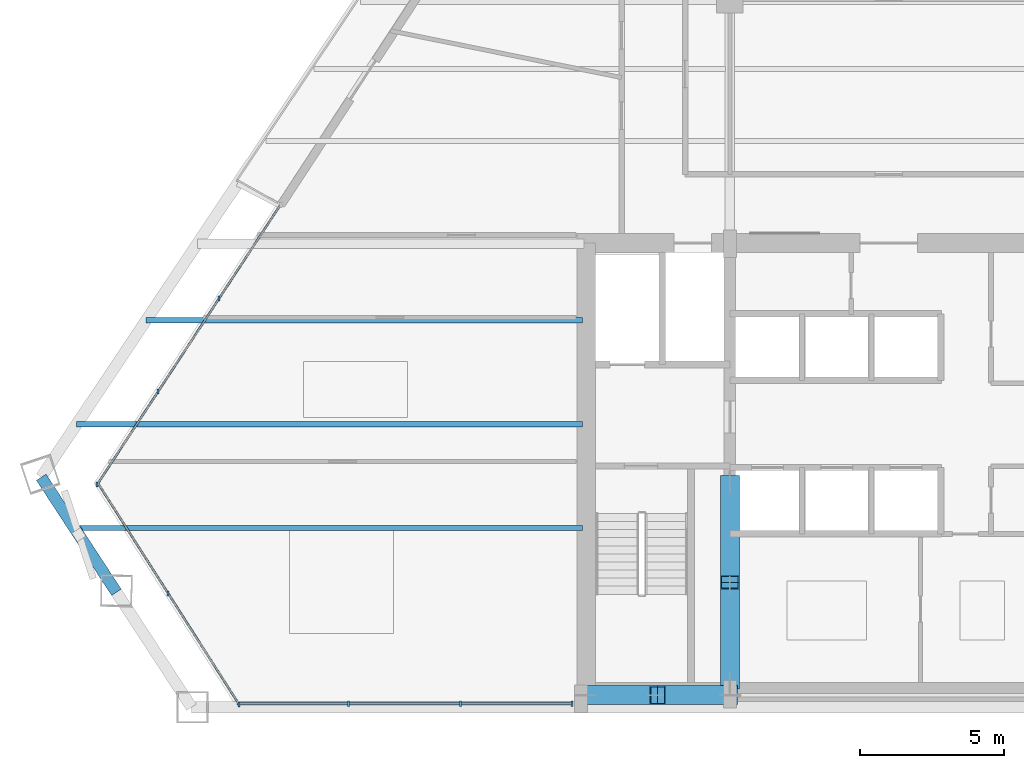
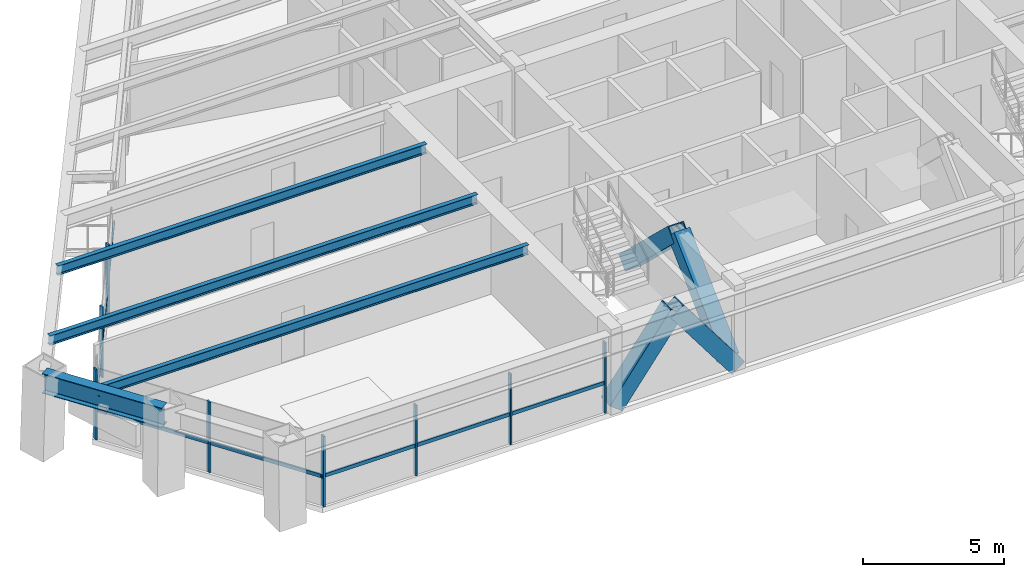
# One storey, part 2 of 14: 20 members, 4 beams, 3 elements without a shape of their own.
"""IFC4 building model written with IfcOpenShell, lengths in metres."""

from ifc_helpers import new_model, si_unit, direction, frame, origin, origin_2d, place, context, subcontext, project, spatial, rectangle, hollow_rectangle, i_section, extrude, source, transform, mapped, material, material_profile, profile_set, type_object, element, aggregate, save


model = new_model("IFC4")

# Units and contexts
model_context = context("Model", 3, precision=1e-05, world=origin(), true_north=direction((0.0, 1.0)))
body_context = subcontext(model_context, "Body", "Model", "MODEL_VIEW")
ifc_project = project(units=[si_unit("LENGTHUNIT", "METRE"), si_unit("AREAUNIT", "SQUARE_METRE"), si_unit("VOLUMEUNIT", "CUBIC_METRE"), si_unit("PLANEANGLEUNIT", "RADIAN"), si_unit("MASSUNIT", "GRAM", prefix="KILO")], contexts=[model_context])

# Site, building, storey
site_placement = place(None, origin())
site = spatial("IfcSite", under=ifc_project, at=site_placement, CompositionType="ELEMENT")
building_placement = place(site_placement, origin())
building = spatial("IfcBuilding", under=site, at=building_placement, Name="Varnakhor Terracotta Tower", CompositionType="ELEMENT")
storey_placement = place(building_placement, frame((0.0, 0.0, 133.0)))
storey = spatial("IfcBuildingStorey", under=building, at=storey_placement, Name="L33", CompositionType="ELEMENT", Elevation=133.0)

# Members
ifc_material_1 = material(Name="Steel S460", Category="steel")
ifc_material_profile_1 = material_profile(ifc_material_1, hollow_rectangle(XDim=0.64990234375, YDim=0.64990234375, WallThickness=0.0400390625, at=origin_2d()), Name="HSS650X650X40")
ifc_profile_set_1 = profile_set([ifc_material_profile_1], Name="Steel S460")
member_type_1 = type_object("IfcMemberType", Name="MBR-MEGA-650", PredefinedType="BRACE", material=ifc_profile_set_1)
shared_shape_1 = source(origin(), body_context, "Body", "SweptSolid", [
    extrude(hollow_rectangle(XDim=0.64990234375, YDim=0.64990234375, WallThickness=0.0400390625, at=origin_2d()), origin(), (0.0, 0.0, 1.0), 4.805908203125),
])
member_1_placement = place(storey_placement, frame((-5.5, 0.85009765625, 0.0), z_axis=(0.0, 0.723026776832, 0.69082000549), x_axis=(-1.0, 0.0, 0.0)))
element("IfcMember", 1, at=member_1_placement, inside=storey, type_object=member_type_1, Name="L33 Core Coupled Brace CWWA", PredefinedType="BRACE", context=body_context, shape_type="MappedRepresentation", body=[
    mapped(shared_shape_1, transform((0.0, 0.0, 0.0), scale=1.0)),
])
shared_shape_2 = source(origin(), body_context, "Body", "SweptSolid", [
    extrude(hollow_rectangle(XDim=0.64990234375, YDim=0.64990234375, WallThickness=0.0400390625, at=origin_2d()), origin(), (0.0, 0.0, 1.0), 4.156005859375),
])
for number, where, z_axis, x_axis, name in (
    (2, (-10.5, 0.419921875, 0.0), (0.601530923869, 0.0, 0.798849515009), (0.0, 1.0, 0.0), "L33 Core Coupled Brace CSWA"),
    (3, (-5.5, 0.419921875, 0.0), (-0.601530923869, 0.0, 0.798849515009), (0.0, -1.0, 0.0), "L33 Core Coupled Brace CSWB"),
):
    element("IfcMember", number, at=place(storey_placement, frame(where, z_axis=z_axis, x_axis=x_axis)), inside=storey, type_object=member_type_1, Name=name, PredefinedType="BRACE", context=body_context, shape_type="MappedRepresentation", body=[
        mapped(shared_shape_2, transform((0.0, 0.0, 0.0), scale=1.0)),
    ])
shared_shape_3 = source(origin(), body_context, "Body", "SweptSolid", [
    extrude(hollow_rectangle(XDim=0.64990234375, YDim=0.64990234375, WallThickness=0.0400390625, at=origin_2d()), origin(), (0.0, 0.0, 1.0), 4.80615234375),
])
member_2_placement = place(storey_placement, frame((-5.5, 7.800048828125, 0.0), z_axis=(0.0, -0.723051018573, 0.690794632681), x_axis=(1.0, 0.0, 0.0)))
element("IfcMember", 4, at=member_2_placement, inside=storey, type_object=member_type_1, Name="L33 Core Coupled Brace CWWB", PredefinedType="BRACE", context=body_context, shape_type="MappedRepresentation", body=[
    mapped(shared_shape_3, transform((0.0, 0.0, 0.0), scale=1.0)),
])

# Beams
ifc_material_2 = material(Name="Steel S355", Category="steel")
ifc_material_profile_2 = material_profile(ifc_material_2, i_section(OverallWidth=0.39990234375, OverallDepth=0.85498046875, WebThickness=0.01806640625, FlangeThickness=0.029052734375, FilletRadius=0.01806640625, at=origin_2d()), Name="W33X201")
ifc_profile_set_2 = profile_set([ifc_material_profile_2], Name="Steel S355")
beam_type_1 = type_object("IfcBeamType", Name="BM-W33X201", PredefinedType="BEAM", material=ifc_profile_set_2)
shared_shape_4 = source(origin(), body_context, "Body", "SweptSolid", [
    extrude(i_section(OverallWidth=0.39990234375, OverallDepth=0.85498046875, WebThickness=0.01806640625, FlangeThickness=0.029052734375, FilletRadius=0.01806640625, at=origin_2d()), origin(), (0.0, 0.0, 1.0), 4.755615234375),
])
beam_1_placement = place(storey_placement, frame((-29.343017578125, 7.9619140625, 3.04248046875), z_axis=(0.547011428282, -0.837125138392, 0.0), x_axis=(0.837125138392, 0.547011428282, 0.0)))
element("IfcBeam", 5, at=beam_1_placement, inside=storey, type_object=beam_type_1, Name="L33 Perimeter Spandrel 7", PredefinedType="BEAM", context=body_context, shape_type="MappedRepresentation", body=[
    mapped(shared_shape_4, transform((0.0, 0.0, 0.0), scale=1.0)),
])
ifc_material_profile_3 = material_profile(ifc_material_2, i_section(OverallWidth=0.179931640625, OverallDepth=0.4130859375, WebThickness=0.009765625, FlangeThickness=0.01611328125, FilletRadius=0.01806640625, at=origin_2d()), Name="W16X50")
ifc_profile_set_3 = profile_set([ifc_material_profile_3], Name="Steel S355")
beam_type_2 = type_object("IfcBeamType", Name="JST-W16X50", PredefinedType="JOIST", material=ifc_profile_set_3)
shared_shape_5 = source(origin(), body_context, "Body", "SweptSolid", [
    extrude(i_section(OverallWidth=0.179931640625, OverallDepth=0.4130859375, WebThickness=0.009765625, FlangeThickness=0.01611328125, FilletRadius=0.01806640625, at=origin_2d()), origin(), (0.0, 0.0, 1.0), 17.591552734375),
])
beam_2_placement = place(storey_placement, frame((-28.191650390625, 6.199951171875, 3.263427734375), z_axis=(1.0, 0.0, 0.0), x_axis=(0.0, 1.0, 0.0)))
element("IfcBeam", 6, at=beam_2_placement, inside=storey, type_object=beam_type_2, Name="L33 Floor Joist W1", PredefinedType="JOIST", context=body_context, shape_type="MappedRepresentation", body=[
    mapped(shared_shape_5, transform((0.0, 0.0, 0.0), scale=1.0)),
])
shared_shape_6 = source(origin(), body_context, "Body", "SweptSolid", [
    extrude(i_section(OverallWidth=0.179931640625, OverallDepth=0.4130859375, WebThickness=0.009765625, FlangeThickness=0.01611328125, FilletRadius=0.01806640625, at=origin_2d()), origin(), (0.0, 0.0, 1.0), 17.514892578125),
])
beam_3_placement = place(storey_placement, frame((-28.114990234375, 9.800048828125, 3.263427734375), z_axis=(1.0, 0.0, 0.0), x_axis=(0.0, 1.0, 0.0)))
element("IfcBeam", 7, at=beam_3_placement, inside=storey, type_object=beam_type_2, Name="L33 Floor Joist W2", PredefinedType="JOIST", context=body_context, shape_type="MappedRepresentation", body=[
    mapped(shared_shape_6, transform((0.0, 0.0, 0.0), scale=1.0)),
])
shared_shape_7 = source(origin(), body_context, "Body", "SweptSolid", [
    extrude(i_section(OverallWidth=0.179931640625, OverallDepth=0.4130859375, WebThickness=0.009765625, FlangeThickness=0.01611328125, FilletRadius=0.01806640625, at=origin_2d()), origin(), (0.0, 0.0, 1.0), 15.10986328125),
])
beam_4_placement = place(storey_placement, frame((-25.7099609375, 13.39990234375, 3.263427734375), z_axis=(1.0, 0.0, 0.0), x_axis=(0.0, 1.0, 0.0)))
element("IfcBeam", 8, at=beam_4_placement, inside=storey, type_object=beam_type_2, Name="L33 Floor Joist W3", PredefinedType="JOIST", context=body_context, shape_type="MappedRepresentation", body=[
    mapped(shared_shape_7, transform((0.0, 0.0, 0.0), scale=1.0)),
])

# Curtain wall, members
ifc_material_3 = material(Name="Anodised Aluminium Curtain Wall System", Category="aluminium")
curtain_wall_type = type_object("IfcCurtainWallType", Name="CW-SYS-MID-OFFICE", PredefinedType="NOTDEFINED", material=ifc_material_3)
curtain_wall_1_placement = place(storey_placement, origin())
curtain_wall_1 = element("IfcCurtainWall", 9, at=curtain_wall_1_placement, inside=storey, type_object=curtain_wall_type, Name="L33 W Facet Curtain Wall 1", PredefinedType="NOTDEFINED")
ifc_material_4 = material(Name="Anodised Aluminium 6063-T6", Category="aluminium")
ifc_material_profile_4 = material_profile(ifc_material_4, rectangle(XDim=0.070068359375, YDim=0.175048828125, at=origin_2d()), Name="ALU MULLION 70x175")
ifc_profile_set_4 = profile_set([ifc_material_profile_4], Name="Anodised Aluminium 6063-T6")
member_type_2 = type_object("IfcMemberType", Name="CWM-03", PredefinedType="MULLION", material=ifc_profile_set_4)
shared_shape_8 = source(origin(), body_context, "Body", "SweptSolid", [
    extrude(rectangle(XDim=0.070068359375, YDim=0.175048828125, at=origin_2d()), origin(), (0.0, 0.0, 1.0), 3.050048828125),
])
member_3_placement = place(storey_placement, frame((-27.404541015625, 7.710693359375, 0.0), z_axis=(0.0, 0.0, 1.0), x_axis=(1.0, 0.0, 0.0)))
member_3 = element("IfcMember", 10, at=member_3_placement, type_object=member_type_2, Name="L33 W Facet Curtain Wall 1 Mullion 1", PredefinedType="MULLION", context=body_context, shape_type="MappedRepresentation", body=[
    mapped(shared_shape_8, transform((0.0, 0.0, 0.0), scale=1.0)),
])
member_4_placement = place(storey_placement, frame((-25.294921875, 10.93115234375, 0.0), z_axis=(0.0, 0.0, 1.0), x_axis=(1.0, 0.0, 0.0)))
member_4 = element("IfcMember", 11, at=member_4_placement, type_object=member_type_2, Name="L33 W Facet Curtain Wall 1 Mullion 2", PredefinedType="MULLION", context=body_context, shape_type="MappedRepresentation", body=[
    mapped(shared_shape_8, transform((0.0, 0.0, 0.0), scale=1.0)),
])
member_5_placement = place(storey_placement, frame((-23.185546875, 14.1513671875, 0.0), z_axis=(0.0, 0.0, 1.0), x_axis=(1.0, 0.0, 0.0)))
member_5 = element("IfcMember", 12, at=member_5_placement, type_object=member_type_2, Name="L33 W Facet Curtain Wall 1 Mullion 3", PredefinedType="MULLION", context=body_context, shape_type="MappedRepresentation", body=[
    mapped(shared_shape_8, transform((0.0, 0.0, 0.0), scale=1.0)),
])

curtain_wall_2_placement = place(storey_placement, origin())
curtain_wall_2 = element("IfcCurtainWall", 13, at=curtain_wall_2_placement, inside=storey, type_object=curtain_wall_type, Name="L33 South Wing Curtain Wall SSW", PredefinedType="NOTDEFINED")
member_6_placement = place(storey_placement, frame((-10.969970703125, 0.1201171875, 0.0), z_axis=(0.0, 0.0, 1.0), x_axis=(1.0, 0.0, 0.0)))
member_6 = element("IfcMember", 14, at=member_6_placement, type_object=member_type_2, Name="L33 South Wing Curtain Wall SSW Mullion 1", PredefinedType="MULLION", context=body_context, shape_type="MappedRepresentation", body=[
    mapped(shared_shape_8, transform((0.0, 0.0, 0.0), scale=1.0)),
])
member_7_placement = place(storey_placement, frame((-14.8349609375, 0.1201171875, 0.0), z_axis=(0.0, 0.0, 1.0), x_axis=(1.0, 0.0, 0.0)))
member_7 = element("IfcMember", 15, at=member_7_placement, type_object=member_type_2, Name="L33 South Wing Curtain Wall SSW Mullion 2", PredefinedType="MULLION", context=body_context, shape_type="MappedRepresentation", body=[
    mapped(shared_shape_8, transform((0.0, 0.0, 0.0), scale=1.0)),
])
member_8_placement = place(storey_placement, frame((-18.69970703125, 0.1201171875, 0.0), z_axis=(0.0, 0.0, 1.0), x_axis=(1.0, 0.0, 0.0)))
member_8 = element("IfcMember", 16, at=member_8_placement, type_object=member_type_2, Name="L33 South Wing Curtain Wall SSW Mullion 3", PredefinedType="MULLION", context=body_context, shape_type="MappedRepresentation", body=[
    mapped(shared_shape_8, transform((0.0, 0.0, 0.0), scale=1.0)),
])

curtain_wall_3_placement = place(storey_placement, origin())
curtain_wall_3 = element("IfcCurtainWall", 17, at=curtain_wall_3_placement, inside=storey, type_object=curtain_wall_type, Name="L33 Facet Curtain Wall 6", PredefinedType="NOTDEFINED")
member_9_placement = place(storey_placement, frame((-22.489501953125, 0.08984375, 0.0), z_axis=(0.0, 0.0, 1.0), x_axis=(1.0, 0.0, 0.0)))
member_9 = element("IfcMember", 18, at=member_9_placement, type_object=member_type_2, Name="L33 Facet Curtain Wall 6 Mullion 1", PredefinedType="MULLION", context=body_context, shape_type="MappedRepresentation", body=[
    mapped(shared_shape_8, transform((0.0, 0.0, 0.0), scale=1.0)),
])
member_10_placement = place(storey_placement, frame((-24.94677734375, 3.940185546875, 0.0), z_axis=(0.0, 0.0, 1.0), x_axis=(1.0, 0.0, 0.0)))
member_10 = element("IfcMember", 19, at=member_10_placement, type_object=member_type_2, Name="L33 Facet Curtain Wall 6 Mullion 2", PredefinedType="MULLION", context=body_context, shape_type="MappedRepresentation", body=[
    mapped(shared_shape_8, transform((0.0, 0.0, 0.0), scale=1.0)),
])

# Member
ifc_material_profile_5 = material_profile(ifc_material_4, rectangle(XDim=0.070068359375, YDim=0.155029296875, at=origin_2d()), Name="ALU TRANSOM 70x155")
ifc_profile_set_5 = profile_set([ifc_material_profile_5], Name="Anodised Aluminium 6063-T6")
member_type_3 = type_object("IfcMemberType", Name="CWT-03", PredefinedType="USERDEFINED", material=ifc_profile_set_5)
shared_shape_9 = source(origin(), body_context, "Body", "SweptSolid", [
    extrude(rectangle(XDim=0.070068359375, YDim=0.155029296875, at=origin_2d()), origin(), (0.0, 0.0, 1.0), 3.849853515625),
])
member_11_placement = place(storey_placement, frame((-27.404541015625, 7.710693359375, 1.281005859375), z_axis=(0.547965057118, 0.836501223058, 0.0), x_axis=(-0.836501223058, 0.547965057118, 0.0)))
member_11 = element("IfcMember", 20, at=member_11_placement, type_object=member_type_3, Name="L33 W Facet Curtain Wall 1 Transom 1", ObjectType="TRANSOM", PredefinedType="USERDEFINED", context=body_context, shape_type="MappedRepresentation", body=[
    mapped(shared_shape_9, transform((0.0, 0.0, 0.0), scale=1.0)),
])

shared_shape_10 = source(origin(), body_context, "Body", "SweptSolid", [
    extrude(rectangle(XDim=0.070068359375, YDim=0.155029296875, at=origin_2d()), origin(), (0.0, 0.0, 1.0), 3.849609375),
])
member_12_placement = place(storey_placement, frame((-25.294921875, 10.93115234375, 1.281005859375), z_axis=(0.547949749894, 0.836511250128, 0.0), x_axis=(-0.836511250128, 0.547949749894, 0.0)))
member_12 = element("IfcMember", 21, at=member_12_placement, type_object=member_type_3, Name="L33 W Facet Curtain Wall 1 Transom 2", ObjectType="TRANSOM", PredefinedType="USERDEFINED", context=body_context, shape_type="MappedRepresentation", body=[
    mapped(shared_shape_10, transform((0.0, 0.0, 0.0), scale=1.0)),
])

member_13_placement = place(storey_placement, frame((-23.185546875, 14.1513671875, 1.281005859375), z_axis=(0.547994125871, 0.836482180331, 0.0), x_axis=(-0.836482180331, 0.547994125871, 0.0)))
member_13 = element("IfcMember", 22, at=member_13_placement, type_object=member_type_3, Name="L33 W Facet Curtain Wall 1 Transom 3", ObjectType="TRANSOM", PredefinedType="USERDEFINED", context=body_context, shape_type="MappedRepresentation", body=[
    mapped(shared_shape_10, transform((0.0, 0.0, 0.0), scale=1.0)),
])

aggregate(curtain_wall_1, [member_3, member_11, member_4, member_12, member_5, member_13])

shared_shape_11 = source(origin(), body_context, "Body", "SweptSolid", [
    extrude(rectangle(XDim=0.070068359375, YDim=0.155029296875, at=origin_2d()), origin(), (0.0, 0.0, 1.0), 3.864990234375),
])
member_14_placement = place(storey_placement, frame((-10.969970703125, 0.1201171875, 1.281005859375), z_axis=(-1.0, 0.0, 0.0), x_axis=(0.0, -1.0, 0.0)))
member_14 = element("IfcMember", 23, at=member_14_placement, type_object=member_type_3, Name="L33 South Wing Curtain Wall SSW Transom 1", ObjectType="TRANSOM", PredefinedType="USERDEFINED", context=body_context, shape_type="MappedRepresentation", body=[
    mapped(shared_shape_11, transform((0.0, 0.0, 0.0), scale=1.0)),
])

member_15_placement = place(storey_placement, frame((-18.69970703125, 0.1201171875, 1.281005859375), z_axis=(-1.0, 0.0, 0.0), x_axis=(0.0, -1.0, 0.0)))
member_15 = element("IfcMember", 24, at=member_15_placement, type_object=member_type_3, Name="L33 South Wing Curtain Wall SSW Transom 3", ObjectType="TRANSOM", PredefinedType="USERDEFINED", context=body_context, shape_type="MappedRepresentation", body=[
    mapped(shared_shape_11, transform((0.0, 0.0, 0.0), scale=1.0)),
])

shared_shape_12 = source(origin(), body_context, "Body", "SweptSolid", [
    extrude(rectangle(XDim=0.070068359375, YDim=0.155029296875, at=origin_2d()), origin(), (0.0, 0.0, 1.0), 3.86474609375),
])
member_16_placement = place(storey_placement, frame((-14.8349609375, 0.1201171875, 1.281005859375), z_axis=(-1.0, 0.0, 0.0), x_axis=(0.0, -1.0, 0.0)))
member_16 = element("IfcMember", 25, at=member_16_placement, type_object=member_type_3, Name="L33 South Wing Curtain Wall SSW Transom 2", ObjectType="TRANSOM", PredefinedType="USERDEFINED", context=body_context, shape_type="MappedRepresentation", body=[
    mapped(shared_shape_12, transform((0.0, 0.0, 0.0), scale=1.0)),
])

aggregate(curtain_wall_2, [member_6, member_14, member_7, member_16, member_8, member_15])

shared_shape_13 = source(origin(), body_context, "Body", "SweptSolid", [
    extrude(rectangle(XDim=0.070068359375, YDim=0.155029296875, at=origin_2d()), origin(), (0.0, 0.0, 1.0), 4.567626953125),
])
member_17_placement = place(storey_placement, frame((-22.489501953125, 0.08984375, 1.281005859375), z_axis=(-0.537974849582, 0.842960889494, 0.0), x_axis=(-0.842960889494, -0.537974849582, 0.0)))
member_17 = element("IfcMember", 26, at=member_17_placement, type_object=member_type_3, Name="L33 Facet Curtain Wall 6 Transom 1", ObjectType="TRANSOM", PredefinedType="USERDEFINED", context=body_context, shape_type="MappedRepresentation", body=[
    mapped(shared_shape_13, transform((0.0, 0.0, 0.0), scale=1.0)),
])

shared_shape_14 = source(origin(), body_context, "Body", "SweptSolid", [
    extrude(rectangle(XDim=0.070068359375, YDim=0.155029296875, at=origin_2d()), origin(), (0.0, 0.0, 1.0), 4.56787109375),
])
member_18_placement = place(storey_placement, frame((-24.94677734375, 3.940185546875, 1.281005859375), z_axis=(-0.53795061129, 0.842976357802, 0.0), x_axis=(-0.842976357802, -0.53795061129, 0.0)))
member_18 = element("IfcMember", 27, at=member_18_placement, type_object=member_type_3, Name="L33 Facet Curtain Wall 6 Transom 2", ObjectType="TRANSOM", PredefinedType="USERDEFINED", context=body_context, shape_type="MappedRepresentation", body=[
    mapped(shared_shape_14, transform((0.0, 0.0, 0.0), scale=1.0)),
])

aggregate(curtain_wall_3, [member_9, member_17, member_10, member_18])

save(model, "model.ifc")
